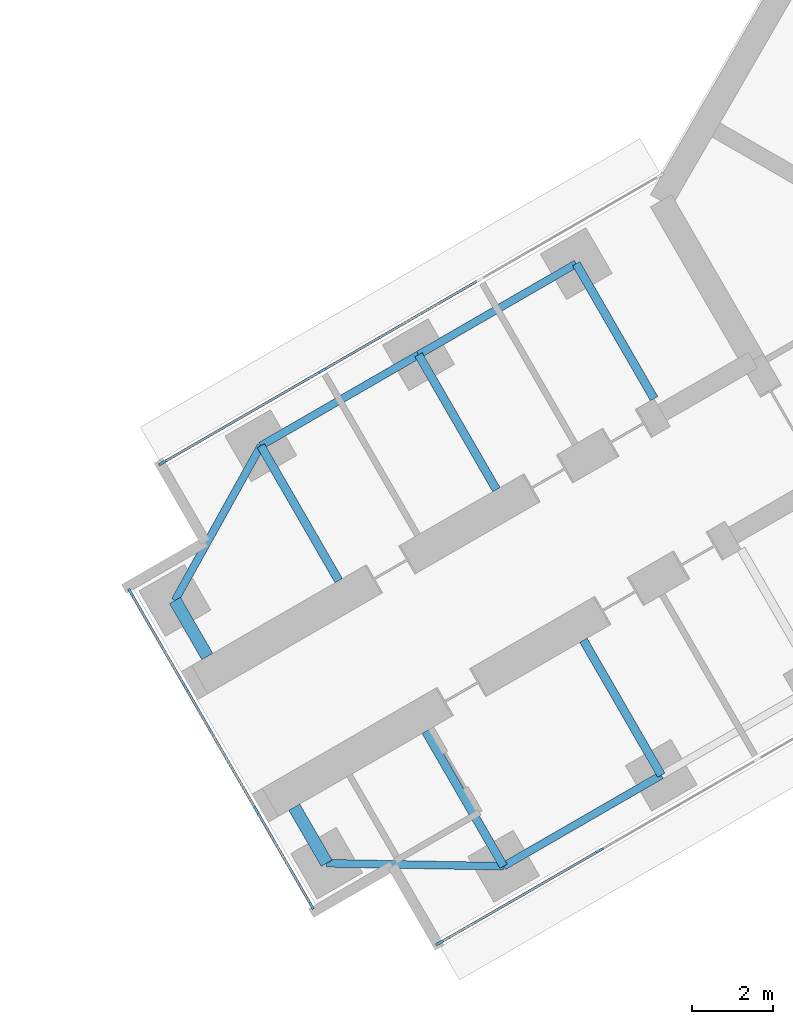
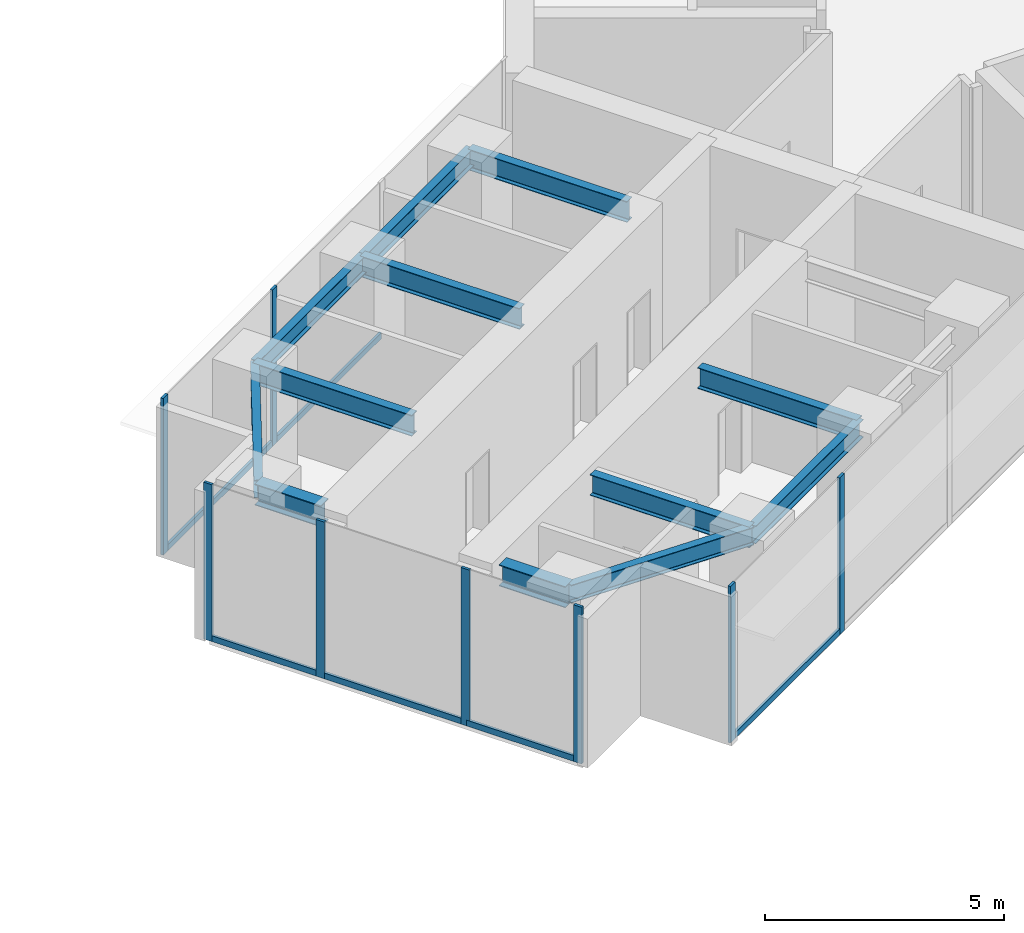
# One storey, part 3 of 22: 14 members, 12 beams, 3 elements without a shape of their own.
"""IFC4 building model written with IfcOpenShell, lengths in metres."""

from ifc_helpers import new_model, si_unit, direction, frame, origin, origin_2d, place, context, subcontext, project, spatial, rectangle, i_section, extrude, material, material_profile, profile_set, type_object, element, aggregate, save


model = new_model("IFC4")

# Units and contexts
model_context = context("Model", 3, precision=1e-05, world=origin(), true_north=direction((0.0, 1.0)))
body_context = subcontext(model_context, "Body", "Model", "MODEL_VIEW")
ifc_project = project(units=[si_unit("LENGTHUNIT", "METRE"), si_unit("AREAUNIT", "SQUARE_METRE"), si_unit("VOLUMEUNIT", "CUBIC_METRE"), si_unit("PLANEANGLEUNIT", "RADIAN"), si_unit("MASSUNIT", "GRAM", prefix="KILO")], contexts=[model_context])

# Site, building, storey
site_placement = place(None, origin())
site = spatial("IfcSite", under=ifc_project, at=site_placement, CompositionType="ELEMENT")
building_placement = place(site_placement, origin())
building = spatial("IfcBuilding", under=site, at=building_placement, Name="Upepo Twin Towers", CompositionType="ELEMENT")
storey_placement = place(building_placement, frame((0.0, 0.0, 125.5)))
storey = spatial("IfcBuildingStorey", under=building, at=storey_placement, Name="L30", CompositionType="ELEMENT", Elevation=125.5)

# Beams
ifc_material_1 = material(Name="Steel S355", Category="steel")
ifc_material_profile_1 = material_profile(ifc_material_1, i_section(OverallWidth=0.1904296875, OverallDepth=0.45703125, WebThickness=0.009033203125, FlangeThickness=0.014404296875, FilletRadius=0.01025390625, at=origin_2d()), Name="UB 457x191x74")
ifc_profile_set_1 = profile_set([ifc_material_profile_1], Name="Steel S355")
beam_type_1 = type_object("IfcBeamType", Name="Beam UB 457x191x74", PredefinedType="BEAM", material=ifc_profile_set_1)
beam_1_placement = place(storey_placement, frame((45.91162109375, -32.196044921875, 3.571533203125), z_axis=(-0.866031096941, -0.499990139034, 0.0), x_axis=(0.499990139034, -0.866031096941, 0.0)))
element("IfcBeam", 1, at=beam_1_placement, inside=storey, type_object=beam_type_1, Name="T2 edge beam BL 18.0-22.5", PredefinedType="BEAM", context=body_context, shape_type="SweptSolid", body=[
    extrude(i_section(OverallWidth=0.1904296875, OverallDepth=0.45703125, WebThickness=0.009033203125, FlangeThickness=0.014404296875, FilletRadius=0.01025390625, at=origin_2d()), origin(), (0.0, 0.0, 1.0), 4.5),
])
beam_2_placement = place(storey_placement, frame((42.014404296875, -34.446044921875, 3.571533203125), z_axis=(-0.999858804832, 0.016803880528, 0.0), x_axis=(-0.016803880528, -0.999858804832, 0.0)))
element("IfcBeam", 2, at=beam_2_placement, inside=storey, type_object=beam_type_1, Name="T2 nose edge beam BL", PredefinedType="BEAM", context=body_context, shape_type="SweptSolid", body=[
    extrude(i_section(OverallWidth=0.1904296875, OverallDepth=0.45703125, WebThickness=0.009033203125, FlangeThickness=0.014404296875, FilletRadius=0.01025390625, at=origin_2d()), origin(), (0.0, 0.0, 1.0), 4.373291015625),
])
beam_3_placement = place(storey_placement, frame((43.80859375, -19.553955078125, 3.571533203125), z_axis=(-0.866017533419, -0.500013631625, 0.0), x_axis=(0.500013631625, -0.866017533419, 0.0)))
element("IfcBeam", 3, at=beam_3_placement, inside=storey, type_object=beam_type_1, Name="T2 edge beam BR 13.5-18.0", PredefinedType="BEAM", context=body_context, shape_type="SweptSolid", body=[
    extrude(i_section(OverallWidth=0.1904296875, OverallDepth=0.45703125, WebThickness=0.009033203125, FlangeThickness=0.014404296875, FilletRadius=0.01025390625, at=origin_2d()), origin(), (0.0, 0.0, 1.0), 4.499755859375),
])
beam_4_placement = place(storey_placement, frame((39.91162109375, -21.803955078125, 3.571533203125), z_axis=(-0.866031096941, -0.499990139034, 0.0), x_axis=(0.499990139034, -0.866031096941, 0.0)))
element("IfcBeam", 4, at=beam_4_placement, inside=storey, type_object=beam_type_1, Name="T2 edge beam BR 18.0-22.5", PredefinedType="BEAM", context=body_context, shape_type="SweptSolid", body=[
    extrude(i_section(OverallWidth=0.1904296875, OverallDepth=0.45703125, WebThickness=0.009033203125, FlangeThickness=0.014404296875, FilletRadius=0.01025390625, at=origin_2d()), origin(), (0.0, 0.0, 1.0), 4.5),
])
beam_5_placement = place(storey_placement, frame((36.014404296875, -24.053955078125, 3.571533203125), z_axis=(-0.485363242752, -0.874312600038, 0.0), x_axis=(0.874312600038, -0.485363242752, 0.0)))
element("IfcBeam", 5, at=beam_5_placement, inside=storey, type_object=beam_type_1, Name="T2 nose edge beam BR", PredefinedType="BEAM", context=body_context, shape_type="SweptSolid", body=[
    extrude(i_section(OverallWidth=0.1904296875, OverallDepth=0.45703125, WebThickness=0.009033203125, FlangeThickness=0.014404296875, FilletRadius=0.01025390625, at=origin_2d()), origin(), (0.0, 0.0, 1.0), 4.373046875),
])
ifc_material_2 = material(Name="Steel S355", Category="steel")
ifc_material_profile_2 = material_profile(ifc_material_2, i_section(OverallWidth=0.209228515625, OverallDepth=0.533203125, WebThickness=0.010009765625, FlangeThickness=0.015625, FilletRadius=0.0126953125, at=origin_2d()), Name="UB 533x210x92")
ifc_profile_set_2 = profile_set([ifc_material_profile_2], Name="Steel S355")
beam_type_2 = type_object("IfcBeamType", Name="Beam UB 533x210x92", PredefinedType="BEAM", material=ifc_profile_set_2)
for number, where, z_axis, x_axis, name in (
    (6, (45.91162109375, -32.196044921875, 3.533447265625), (-0.500033517596, 0.866006051527, 0.0), (-0.866006051527, -0.500033517596, 0.0), "T2 girder BL at 18.0"),
    (7, (42.014404296875, -34.446044921875, 3.533447265625), (-0.500033517596, 0.866006051527, 0.0), (-0.866006051527, -0.500033517596, 0.0), "T2 girder BL at 22.5"),
    (8, (43.80859375, -19.553955078125, 3.533447265625), (0.500033517596, -0.866006051527, 0.0), (0.866006051527, 0.500033517596, 0.0), "T2 girder BR at 13.5"),
):
    element("IfcBeam", number, at=place(storey_placement, frame(where, z_axis=z_axis, x_axis=x_axis)), inside=storey, type_object=beam_type_2, Name=name, PredefinedType="BEAM", context=body_context, shape_type="SweptSolid", body=[
        extrude(i_section(OverallWidth=0.209228515625, OverallDepth=0.533203125, WebThickness=0.010009765625, FlangeThickness=0.015625, FilletRadius=0.0126953125, at=origin_2d()), origin(), (0.0, 0.0, 1.0), 3.849853515625),
    ])
beam_6_placement = place(storey_placement, frame((39.91162109375, -21.803955078125, 3.533447265625), z_axis=(0.499985955615, -0.866033512162, 0.0), x_axis=(0.866033512162, 0.499985955615, 0.0)))
element("IfcBeam", 9, at=beam_6_placement, inside=storey, type_object=beam_type_2, Name="T2 girder BR at 18.0", PredefinedType="BEAM", context=body_context, shape_type="SweptSolid", body=[
    extrude(i_section(OverallWidth=0.209228515625, OverallDepth=0.533203125, WebThickness=0.010009765625, FlangeThickness=0.015625, FilletRadius=0.0126953125, at=origin_2d()), origin(), (0.0, 0.0, 1.0), 3.849609375),
])
beam_7_placement = place(storey_placement, frame((36.014404296875, -24.053955078125, 3.533447265625), z_axis=(0.500033517596, -0.866006051527, 0.0), x_axis=(0.866006051527, 0.500033517596, 0.0)))
element("IfcBeam", 10, at=beam_7_placement, inside=storey, type_object=beam_type_2, Name="T2 girder BR at 22.5", PredefinedType="BEAM", context=body_context, shape_type="SweptSolid", body=[
    extrude(i_section(OverallWidth=0.209228515625, OverallDepth=0.533203125, WebThickness=0.010009765625, FlangeThickness=0.015625, FilletRadius=0.0126953125, at=origin_2d()), origin(), (0.0, 0.0, 1.0), 3.849853515625),
])
ifc_material_3 = material(Name="Steel S355", Category="steel")
ifc_material_profile_3 = material_profile(ifc_material_3, i_section(OverallWidth=0.31201171875, OverallDepth=0.54345703125, WebThickness=0.0126953125, FlangeThickness=0.020263671875, FilletRadius=0.0126953125, at=origin_2d()), Name="UB 533x312x150")
ifc_profile_set_3 = profile_set([ifc_material_profile_3], Name="Steel S355")
beam_type_3 = type_object("IfcBeamType", Name="Beam UB 533x312x150", PredefinedType="BEAM", material=ifc_profile_set_3)
for number, where, z_axis, x_axis, name in (
    (11, (37.641845703125, -34.37255859375, 3.5283203125), (-0.500061482766, 0.865989903783, 0.0), (-0.865989903783, -0.500061482766, 0.0), "T2 nose beam BL"),
    (12, (33.891845703125, -27.87744140625, 3.5283203125), (0.500061482766, -0.865989903783, 0.0), (0.865989903783, 0.500061482766, 0.0), "T2 nose beam BR"),
):
    element("IfcBeam", number, at=place(storey_placement, frame(where, z_axis=z_axis, x_axis=x_axis)), inside=storey, type_object=beam_type_3, Name=name, PredefinedType="BEAM", context=body_context, shape_type="SweptSolid", body=[
        extrude(i_section(OverallWidth=0.31201171875, OverallDepth=0.54345703125, WebThickness=0.0126953125, FlangeThickness=0.020263671875, FilletRadius=0.0126953125, at=origin_2d()), origin(), (0.0, 0.0, 1.0), 1.599853515625),
    ])

# Curtain wall, members
ifc_material_4 = material(Name="Aluminium and fritted glass", Category="aluminium")
curtain_wall_type = type_object("IfcCurtainWallType", Name="Tower curtain wall TW2, fritted glass", PredefinedType="NOTDEFINED", material=ifc_material_4)
curtain_wall_1_placement = place(storey_placement, origin())
curtain_wall_1 = element("IfcCurtainWall", 13, at=curtain_wall_1_placement, inside=storey, type_object=curtain_wall_type, Name="T2 L30 wing B flank L curtain wall", PredefinedType="NOTDEFINED")
ifc_material_5 = material(Name="Aluminium mullion", Category="aluminium")
ifc_material_profile_4 = material_profile(ifc_material_5, rectangle(XDim=0.06494140625, YDim=0.199951171875, at=origin_2d()), Name="MULLION 65x200")
ifc_profile_set_4 = profile_set([ifc_material_profile_4], Name="Aluminium mullion")
member_type_1 = type_object("IfcMemberType", Name="Mullion 65x200 TW2", PredefinedType="MULLION", material=ifc_profile_set_4)
member_1_placement = place(storey_placement, frame((44.387939453125, -34.057373046875, 0.0), z_axis=(0.0, 0.0, 1.0), x_axis=(0.500000010308, -0.866025397833, 0.0)))
member_1 = element("IfcMember", 14, at=member_1_placement, type_object=member_type_1, Name="T2 L30 wing B flank L curtain wall mullion 3", PredefinedType="MULLION", context=body_context, shape_type="SweptSolid", body=[
    extrude(rectangle(XDim=0.06494140625, YDim=0.199951171875, at=origin_2d()), origin(), (0.0, 0.0, 1.0), 4.0),
])
member_2_placement = place(storey_placement, frame((40.432373046875, -36.341064453125, 0.0), z_axis=(0.0, 0.0, 1.0), x_axis=(0.500000010308, -0.866025397833, 0.0)))
member_2 = element("IfcMember", 15, at=member_2_placement, type_object=member_type_1, Name="T2 L30 wing B flank L curtain wall mullion 4", PredefinedType="MULLION", context=body_context, shape_type="SweptSolid", body=[
    extrude(rectangle(XDim=0.06494140625, YDim=0.199951171875, at=origin_2d()), origin(), (0.0, 0.0, 1.0), 4.0),
])

curtain_wall_2_placement = place(storey_placement, origin())
curtain_wall_2 = element("IfcCurtainWall", 16, at=curtain_wall_2_placement, inside=storey, type_object=curtain_wall_type, Name="T2 L30 wing B flank R curtain wall", PredefinedType="NOTDEFINED")
member_3_placement = place(storey_placement, frame((33.58251953125, -24.4765625, 0.0), z_axis=(0.0, 0.0, 1.0), x_axis=(-0.500000010308, 0.866025397833, 0.0)))
member_3 = element("IfcMember", 17, at=member_3_placement, type_object=member_type_1, Name="T2 L30 wing B flank R curtain wall mullion 1", PredefinedType="MULLION", context=body_context, shape_type="SweptSolid", body=[
    extrude(rectangle(XDim=0.06494140625, YDim=0.199951171875, at=origin_2d()), origin(), (0.0, 0.0, 1.0), 4.0),
])
member_4_placement = place(storey_placement, frame((37.5380859375, -22.192626953125, 0.0), z_axis=(0.0, 0.0, 1.0), x_axis=(-0.500000010308, 0.866025397833, 0.0)))
member_4 = element("IfcMember", 18, at=member_4_placement, type_object=member_type_1, Name="T2 L30 wing B flank R curtain wall mullion 2", PredefinedType="MULLION", context=body_context, shape_type="SweptSolid", body=[
    extrude(rectangle(XDim=0.06494140625, YDim=0.199951171875, at=origin_2d()), origin(), (0.0, 0.0, 1.0), 4.0),
])

curtain_wall_3_placement = place(storey_placement, origin())
curtain_wall_3 = element("IfcCurtainWall", 19, at=curtain_wall_3_placement, inside=storey, type_object=curtain_wall_type, Name="T2 L30 wing B nose curtain wall", PredefinedType="NOTDEFINED")
member_5_placement = place(storey_placement, frame((32.796875, -27.68115234375, 0.0), z_axis=(0.0, 0.0, 1.0), x_axis=(0.866025386174, 0.500000030502, 0.0)))
member_5 = element("IfcMember", 20, at=member_5_placement, type_object=member_type_1, Name="T2 L30 wing B nose curtain wall mullion 1", PredefinedType="MULLION", context=body_context, shape_type="SweptSolid", body=[
    extrude(rectangle(XDim=0.06494140625, YDim=0.199951171875, at=origin_2d()), origin(), (0.0, 0.0, 1.0), 4.0),
])
member_6_placement = place(storey_placement, frame((34.15576171875, -30.034423828125, 0.0), z_axis=(0.0, 0.0, 1.0), x_axis=(0.866025386174, 0.500000030502, 0.0)))
member_6 = element("IfcMember", 21, at=member_6_placement, type_object=member_type_1, Name="T2 L30 wing B nose curtain wall mullion 2", PredefinedType="MULLION", context=body_context, shape_type="SweptSolid", body=[
    extrude(rectangle(XDim=0.06494140625, YDim=0.199951171875, at=origin_2d()), origin(), (0.0, 0.0, 1.0), 4.0),
])
member_7_placement = place(storey_placement, frame((35.90576171875, -33.0654296875, 0.0), z_axis=(0.0, 0.0, 1.0), x_axis=(0.866025386174, 0.500000030502, 0.0)))
member_7 = element("IfcMember", 22, at=member_7_placement, type_object=member_type_1, Name="T2 L30 wing B nose curtain wall mullion 3", PredefinedType="MULLION", context=body_context, shape_type="SweptSolid", body=[
    extrude(rectangle(XDim=0.06494140625, YDim=0.199951171875, at=origin_2d()), origin(), (0.0, 0.0, 1.0), 4.0),
])
member_8_placement = place(storey_placement, frame((37.264404296875, -35.4189453125, 0.0), z_axis=(0.0, 0.0, 1.0), x_axis=(0.866025386174, 0.500000030502, 0.0)))
member_8 = element("IfcMember", 23, at=member_8_placement, type_object=member_type_1, Name="T2 L30 wing B nose curtain wall mullion 4", PredefinedType="MULLION", context=body_context, shape_type="SweptSolid", body=[
    extrude(rectangle(XDim=0.06494140625, YDim=0.199951171875, at=origin_2d()), origin(), (0.0, 0.0, 1.0), 4.0),
])

# Member
ifc_material_6 = material(Name="Aluminium transom", Category="aluminium")
ifc_material_profile_5 = material_profile(ifc_material_6, rectangle(XDim=0.06494140625, YDim=0.14990234375, at=origin_2d()), Name="TRANSOM 65x150")
ifc_profile_set_5 = profile_set([ifc_material_profile_5], Name="Aluminium transom")
member_type_2 = type_object("IfcMemberType", Name="Transom 65x150 TW2", PredefinedType="USERDEFINED", material=ifc_profile_set_5)
member_9_placement = place(storey_placement, frame((44.35986328125, -34.073486328125, 0.074951171875), z_axis=(-0.866035699072, -0.499982167615, 0.0), x_axis=(0.499982167615, -0.866035699072, 0.0)))
member_9 = element("IfcMember", 24, at=member_9_placement, type_object=member_type_2, Name="T2 L30 wing B flank L curtain wall transom 3", ObjectType="TRANSOM", PredefinedType="USERDEFINED", context=body_context, shape_type="SweptSolid", body=[
    extrude(rectangle(XDim=0.06494140625, YDim=0.14990234375, at=origin_2d()), origin(), (0.0, 0.0, 1.0), 4.502685546875),
])

aggregate(curtain_wall_1, [member_1, member_2, member_9])

member_10_placement = place(storey_placement, frame((33.610595703125, -24.460205078125, 0.074951171875), z_axis=(0.866022143554, 0.500005646842, 0.0), x_axis=(-0.500005646842, 0.866022143554, 0.0)))
member_10 = element("IfcMember", 25, at=member_10_placement, type_object=member_type_2, Name="T2 L30 wing B flank R curtain wall transom 1", ObjectType="TRANSOM", PredefinedType="USERDEFINED", context=body_context, shape_type="SweptSolid", body=[
    extrude(rectangle(XDim=0.06494140625, YDim=0.14990234375, at=origin_2d()), origin(), (0.0, 0.0, 1.0), 4.50244140625),
])

member_11_placement = place(storey_placement, frame((37.566162109375, -22.176513671875, 0.074951171875), z_axis=(0.866022410713, 0.500005184116, 0.0), x_axis=(-0.500005184116, 0.866022410713, 0.0)))
member_11 = element("IfcMember", 26, at=member_11_placement, type_object=member_type_2, Name="T2 L30 wing B flank R curtain wall transom 2", ObjectType="TRANSOM", PredefinedType="USERDEFINED", context=body_context, shape_type="SweptSolid", body=[
    extrude(rectangle(XDim=0.06494140625, YDim=0.14990234375, at=origin_2d()), origin(), (0.0, 0.0, 1.0), 4.43505859375),
])

aggregate(curtain_wall_2, [member_3, member_4, member_10, member_11])

member_12_placement = place(storey_placement, frame((32.813232421875, -27.709228515625, 0.074951171875), z_axis=(0.499980071345, -0.866036909293, 0.0), x_axis=(0.866036909293, 0.499980071345, 0.0)))
member_12 = element("IfcMember", 27, at=member_12_placement, type_object=member_type_2, Name="T2 L30 wing B nose curtain wall transom 1", ObjectType="TRANSOM", PredefinedType="USERDEFINED", context=body_context, shape_type="SweptSolid", body=[
    extrude(rectangle(XDim=0.06494140625, YDim=0.14990234375, at=origin_2d()), origin(), (0.0, 0.0, 1.0), 2.65234375),
])

member_13_placement = place(storey_placement, frame((34.171875, -30.0625, 0.074951171875), z_axis=(0.499999305434, -0.866025804792, 0.0), x_axis=(0.866025804792, 0.499999305434, 0.0)))
member_13 = element("IfcMember", 28, at=member_13_placement, type_object=member_type_2, Name="T2 L30 wing B nose curtain wall transom 2", ObjectType="TRANSOM", PredefinedType="USERDEFINED", context=body_context, shape_type="SweptSolid", body=[
    extrude(rectangle(XDim=0.06494140625, YDim=0.14990234375, at=origin_2d()), origin(), (0.0, 0.0, 1.0), 3.43505859375),
])

member_14_placement = place(storey_placement, frame((35.921875, -33.09375, 0.074951171875), z_axis=(0.500049101008, -0.865997053448, 0.0), x_axis=(0.865997053448, 0.500049101008, 0.0)))
member_14 = element("IfcMember", 29, at=member_14_placement, type_object=member_type_2, Name="T2 L30 wing B nose curtain wall transom 3", ObjectType="TRANSOM", PredefinedType="USERDEFINED", context=body_context, shape_type="SweptSolid", body=[
    extrude(rectangle(XDim=0.06494140625, YDim=0.14990234375, at=origin_2d()), origin(), (0.0, 0.0, 1.0), 2.652587890625),
])

aggregate(curtain_wall_3, [member_5, member_6, member_7, member_8, member_12, member_13, member_14])

save(model, "model.ifc")
